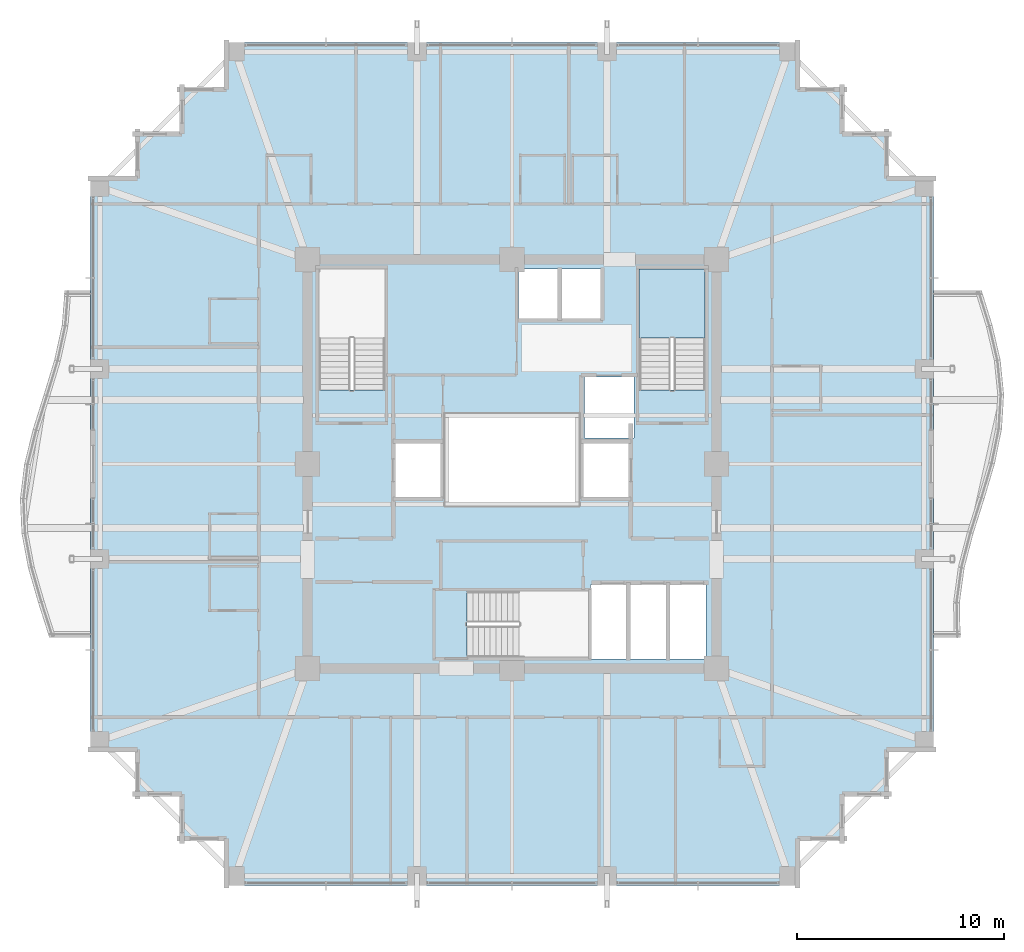
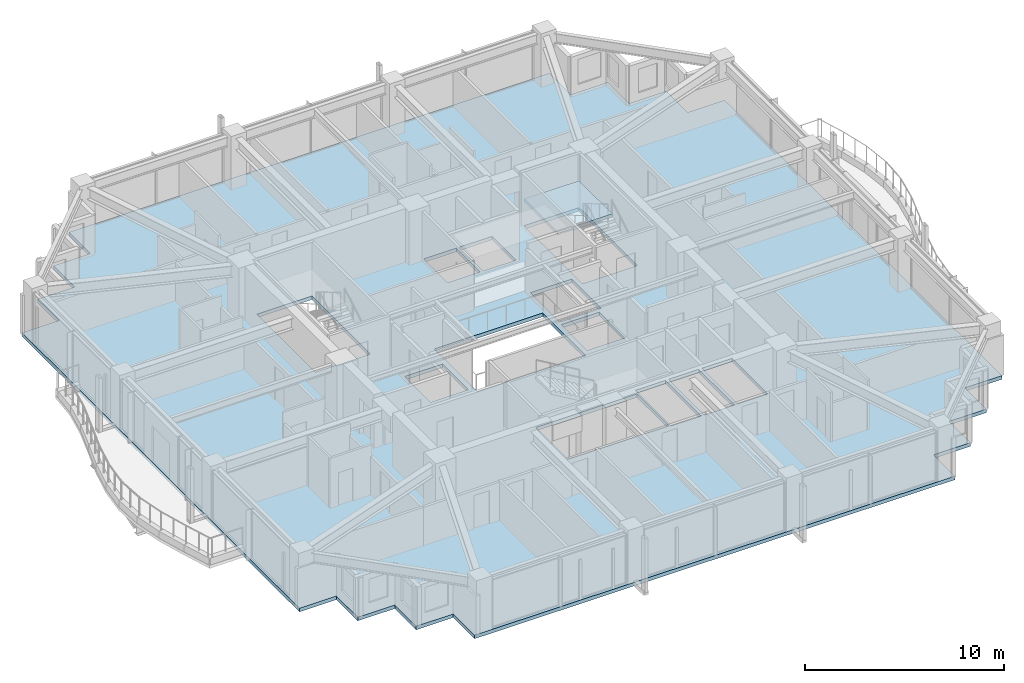
# One storey, part 25 of 35: 2 slabs, 1 element without a shape of its own.
"""IFC4 building model written with IfcOpenShell, lengths in metres."""

from ifc_helpers import new_model, si_unit, direction, frame, origin, place, context, subcontext, project, spatial, polyline, outline, extrude, material, layer, layer_set, type_object, element, aggregate, save


model = new_model("IFC4")

# Units and contexts
model_context = context("Model", 3, precision=1e-05, world=origin(), true_north=direction((0.0, 1.0)))
body_context = subcontext(model_context, "Body", "Model", "MODEL_VIEW")
ifc_project = project(units=[si_unit("LENGTHUNIT", "METRE"), si_unit("AREAUNIT", "SQUARE_METRE"), si_unit("VOLUMEUNIT", "CUBIC_METRE"), si_unit("PLANEANGLEUNIT", "RADIAN"), si_unit("MASSUNIT", "GRAM", prefix="KILO")], contexts=[model_context])

# Site, building, storey
site_placement = place(None, origin())
site = spatial("IfcSite", under=ifc_project, at=site_placement, CompositionType="ELEMENT")
building_placement = place(site_placement, origin())
building = spatial("IfcBuilding", under=site, at=building_placement, Name="Kolvaren Belvedere", CompositionType="ELEMENT")
storey_placement = place(building_placement, frame((0.0, 0.0, 176.699951171875)))
storey = spatial("IfcBuildingStorey", under=building, at=storey_placement, Name="L51", CompositionType="ELEMENT", Elevation=176.699951171875)

# Slab
ifc_material_1 = material(Name="Concrete C50/60", Category="concrete")
ifc_layer_1 = layer(ifc_material_1, 0.219970703125)
ifc_layer_set_1 = layer_set([ifc_layer_1], Name="Concrete C50/60")
slab_type_1 = type_object("IfcSlabType", Name="SL-FLR-220", PredefinedType="FLOOR", material=ifc_layer_set_1)
slab_1_placement = place(storey_placement, frame((0.0, 0.0, -0.219970703125)))
element("IfcSlab", 1, at=slab_1_placement, inside=storey, type_object=slab_type_1, Name="L51 Primary Structural Slab", PredefinedType="FLOOR", context=body_context, shape_type="SweptSolid", body=[
    extrude(outline(polyline([(-13.949951171875, -20.39990234375), (13.949951171875, -20.39990234375), (13.949951171875, -18.25), (16.10009765625, -18.25), (16.10009765625, -16.10009765625), (18.25, -16.10009765625), (18.25, -13.949951171875), (20.39990234375, -13.949951171875), (20.39990234375, 13.949951171875), (18.25, 13.949951171875), (18.25, 16.10009765625), (16.10009765625, 16.10009765625), (16.10009765625, 18.25), (13.949951171875, 18.25), (13.949951171875, 20.39990234375), (-13.949951171875, 20.39990234375), (-13.949951171875, 18.25), (-16.10009765625, 18.25), (-16.10009765625, 16.10009765625), (-18.25, 16.10009765625), (-18.25, 13.949951171875), (-20.39990234375, 13.949951171875), (-20.39990234375, -13.949951171875), (-18.25, -13.949951171875), (-18.25, -16.10009765625), (-16.10009765625, -16.10009765625), (-16.10009765625, -18.25), (-13.949951171875, -18.25), (-13.949951171875, -20.39990234375)]), holes=[polyline([(-9.35009765625, 3.580078125), (-6.159912109375, 3.580078125), (-6.159912109375, 9.449951171875), (-9.35009765625, 9.449951171875), (-9.35009765625, 3.580078125)]), polyline([(6.159912109375, 3.580078125), (9.35009765625, 3.580078125), (9.35009765625, 9.449951171875), (6.159912109375, 9.449951171875), (6.159912109375, 3.580078125)]), polyline([(-2.169921875, -9.35009765625), (3.699951171875, -9.35009765625), (3.699951171875, -6.159912109375), (-2.169921875, -6.159912109375), (-2.169921875, -9.35009765625)]), polyline([(-5.64990234375, -1.60009765625), (-3.449951171875, -1.60009765625), (-3.449951171875, 1.0), (-5.64990234375, 1.0), (-5.64990234375, -1.60009765625)]), polyline([(3.5, 1.25), (5.89990234375, 1.25), (5.89990234375, 4.199951171875), (3.5, 4.199951171875), (3.5, 1.25)]), polyline([(3.449951171875, -1.60009765625), (5.64990234375, -1.60009765625), (5.64990234375, 1.0), (3.449951171875, 1.0), (3.449951171875, -1.60009765625)]), polyline([(3.7900390625, -9.449951171875), (5.5400390625, -9.449951171875), (5.5400390625, -5.85009765625), (3.7900390625, -5.85009765625), (3.7900390625, -9.449951171875)]), polyline([(5.719970703125, -9.449951171875), (7.469970703125, -9.449951171875), (7.469970703125, -5.85009765625), (5.719970703125, -5.85009765625), (5.719970703125, -9.449951171875)]), polyline([(7.64990234375, -9.449951171875), (9.39990234375, -9.449951171875), (9.39990234375, -5.85009765625), (7.64990234375, -5.85009765625), (7.64990234375, -9.449951171875)]), polyline([(0.320068359375, 7.050048828125), (2.219970703125, 7.050048828125), (2.219970703125, 9.449951171875), (0.320068359375, 9.449951171875), (0.320068359375, 7.050048828125)]), polyline([(2.39990234375, 7.050048828125), (4.300048828125, 7.050048828125), (4.300048828125, 9.449951171875), (2.39990234375, 9.449951171875), (2.39990234375, 7.050048828125)]), polyline([(-3.14990234375, -1.949951171875), (3.14990234375, -1.949951171875), (3.14990234375, 2.35009765625), (-3.14990234375, 2.35009765625), (-3.14990234375, -1.949951171875)])]), origin(), (0.0, 0.0, 1.0), 0.219970703125),
])

# Stair, slab
ifc_material_2 = material(Name="Concrete C50/60", Category="concrete")
stair_type = type_object("IfcStairType", Name="ST-CORE-1520", PredefinedType="HALF_TURN_STAIR", material=ifc_material_2)
stair_placement = place(storey_placement, origin())
stair = element("IfcStair", 2, at=stair_placement, inside=storey, type_object=stair_type, Name="L51 Protected Exit Stair ST-2", PredefinedType="HALF_TURN_STAIR")
ifc_material_3 = material(Name="Concrete C50/60", Category="concrete")
ifc_layer_2 = layer(ifc_material_3, 0.260009765625)
ifc_layer_set_2 = layer_set([ifc_layer_2], Name="Concrete C50/60")
slab_type_2 = type_object("IfcSlabType", Name="SL-LAND-260", PredefinedType="LANDING", material=ifc_layer_set_2)
slab_2_placement = place(storey_placement, frame((0.0, 0.0, 1.449951171875)))
slab_2 = element("IfcSlab", 3, at=slab_2_placement, type_object=slab_type_2, Name="ST-2 landing 1", PredefinedType="LANDING", context=body_context, shape_type="SweptSolid", body=[
    extrude(outline(polyline([(9.35009765625, 6.090087890625), (9.35009765625, 9.449951171875), (6.159912109375, 9.449951171875), (6.159912109375, 6.090087890625), (9.35009765625, 6.090087890625)])), origin(), (0.0, 0.0, 1.0), 0.2001953125),
])
aggregate(stair, [slab_2])

save(model, "model.ifc")
